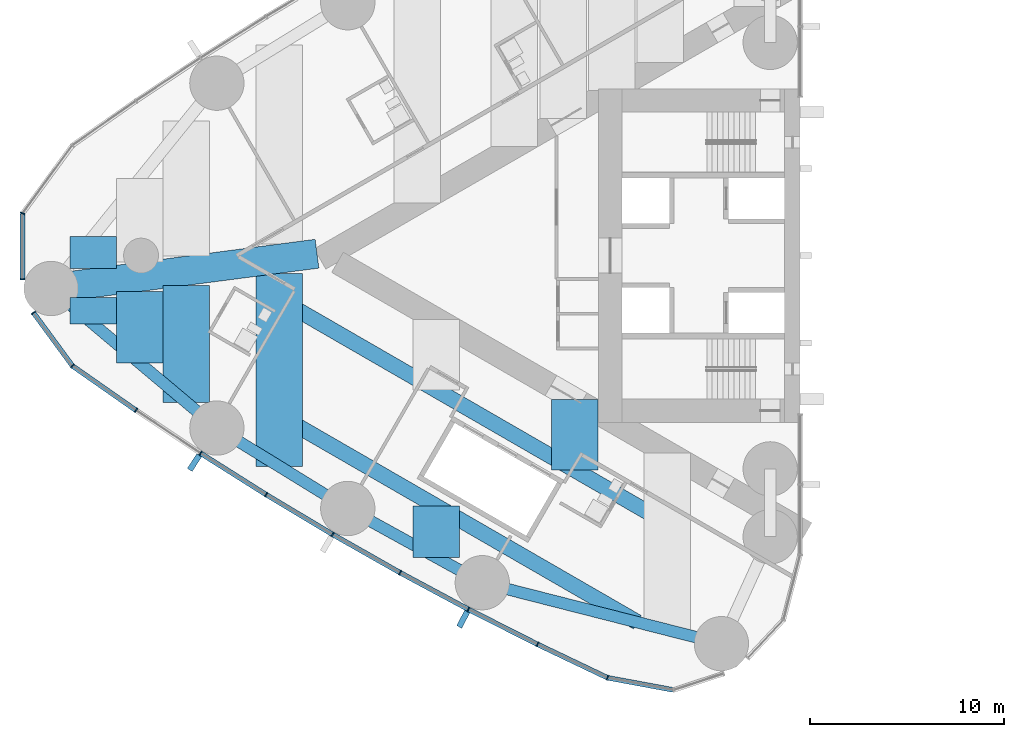
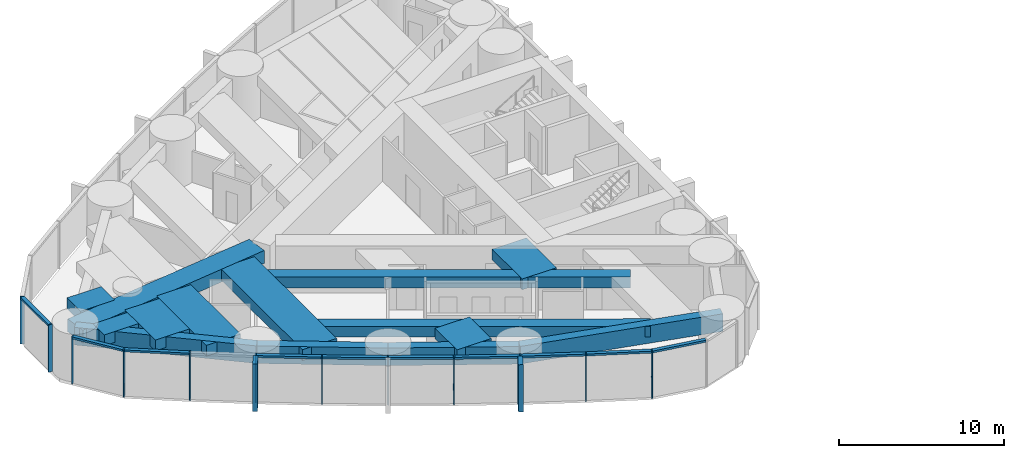
# One storey, part 2 of 19: 24 members, 14 beams, 2 elements without a shape of their own.
"""IFC4 building model written with IfcOpenShell, lengths in metres."""

import ifcopenshell
import ifcopenshell.guid

model = None  # the IFC model being written
_history = None  # IfcOwnerHistory: only IFC2X3 demands one
_inside = {}  # id of a spatial element -> (the spatial element, [elements in it])
_under = {}  # id of a project, library or spatial element -> (it, [spatial elements below it])
_declared = {}  # id of a project -> (the project, [libraries it declares])
_typed = {}  # id of a type object -> (the type object, [elements of that type])
_made_of = {}  # id of a material, layer set ... -> (it, [elements and type objects made of it])


def new_model(schema):
    """Start an empty IFC model of exactly this schema.

    Asked for "IFC4X3", IfcOpenShell would pick the latest addendum, in which some entities
    have other attributes; the version numbers below select the first issue.
    IFC2X3 requires an IfcOwnerHistory on every rooted entity: one is made here for all.
    """
    global model, _history
    if schema == "IFC4X3":
        model = ifcopenshell.file(schema_version=(4, 3, 0, 0))
    else:
        model = ifcopenshell.file(schema=schema)
    _inside.clear()
    _under.clear()
    _declared.clear()
    _typed.clear()
    _made_of.clear()
    _history = None
    if model.schema == "IFC2X3":
        org = make("IfcOrganization", Name="unknown")
        user = make(
            "IfcPersonAndOrganization",
            ThePerson=make("IfcPerson", FamilyName="unknown"),
            TheOrganization=org,
        )
        app = make(
            "IfcApplication",
            ApplicationDeveloper=org,
            Version="unknown",
            ApplicationFullName="unknown",
            ApplicationIdentifier="unknown",
        )
        _history = make(
            "IfcOwnerHistory",
            OwningUser=user,
            OwningApplication=app,
            ChangeAction="ADDED",
            CreationDate=0,
        )
    return model


def make(cls, **values):
    """One entity of the class cls with the attributes given. An attribute that is None is left unset."""
    return model.create_entity(
        cls, **{name: value for name, value in values.items() if value is not None}
    )


def rooted(cls, **values):
    """An entity with a GlobalId (a new one), such as an element, a storey or a relation."""
    return make(cls, GlobalId=ifcopenshell.guid.new(), OwnerHistory=_history, **values)


def si_unit(unit_type, name, prefix=None):
    """IfcSIUnit, for example si_unit("LENGTHUNIT", "METRE", prefix="MILLI")."""
    return make("IfcSIUnit", UnitType=unit_type, Prefix=prefix, Name=name)


def assignment(units):
    """IfcUnitAssignment: the units of a project."""
    return None if units is None else make("IfcUnitAssignment", Units=units)


def point(xyz):
    """IfcCartesianPoint."""
    return None if xyz is None else make("IfcCartesianPoint", Coordinates=xyz)


def direction(xyz):
    """IfcDirection."""
    return None if xyz is None else make("IfcDirection", DirectionRatios=xyz)


def frame(location, z_axis=None, x_axis=None):
    """IfcAxis2Placement3D, a coordinate frame: its origin and axes. An axis left out is left unset."""
    return make(
        "IfcAxis2Placement3D",
        Location=point(location),
        Axis=direction(z_axis),
        RefDirection=direction(x_axis),
    )


def frame_2d(location, x_axis=None):
    """IfcAxis2Placement2D, a coordinate frame in the plane: its origin and x axis."""
    return make(
        "IfcAxis2Placement2D", Location=point(location), RefDirection=direction(x_axis)
    )


def origin():
    """The frame at (0, 0, 0) with its axes left unset."""
    return frame((0.0, 0.0, 0.0))


def origin_2d():
    """The frame at (0, 0) in the plane with its x axis left unset."""
    return frame_2d((0.0, 0.0))


def place(relative_to, where):
    """IfcLocalPlacement: puts the frame where relative to a parent placement (None: the world)."""
    return make(
        "IfcLocalPlacement", PlacementRelTo=relative_to, RelativePlacement=where
    )


def context(
    kind, dimensions, precision=None, world=None, true_north=None, identifier=None
):
    """IfcGeometricRepresentationContext, for example the 3D "Model" context."""
    return make(
        "IfcGeometricRepresentationContext",
        ContextIdentifier=identifier,
        ContextType=kind,
        CoordinateSpaceDimension=dimensions,
        Precision=precision,
        WorldCoordinateSystem=world,
        TrueNorth=true_north,
    )


def subcontext(parent, identifier, kind, view, scale=None):
    """IfcGeometricRepresentationSubContext, for example "Body" below "Model"."""
    return make(
        "IfcGeometricRepresentationSubContext",
        ContextIdentifier=identifier,
        ContextType=kind,
        ParentContext=parent,
        TargetScale=scale,
        TargetView=view,
    )


def project(units=None, contexts=None):
    """IfcProject with its units and contexts."""
    return rooted(
        "IfcProject",
        Name="project",
        RepresentationContexts=contexts,
        UnitsInContext=assignment(units),
    )


def spatial(cls, under=None, at=None, **own):
    """A site, building, storey or space (cls), placed at a placement, below another one or the project."""
    s = rooted(cls, ObjectPlacement=at, **own)
    if under is not None:
        _under.setdefault(under.id(), (under, []))[1].append(s)
    return s


def profile(cls, at=None, kind="AREA", **sizes):
    """A parametric profile (cls). Its sizes go by their IFC names, for example OverallWidth=200.0."""
    return make(cls, ProfileType=kind, Position=at, **sizes)


def rectangle(**sizes):
    """IfcRectangleProfileDef."""
    return profile("IfcRectangleProfileDef", **sizes)


def hollow_rectangle(**sizes):
    """IfcRectangleHollowProfileDef."""
    return profile("IfcRectangleHollowProfileDef", **sizes)


def extrude(swept, where, along, depth):
    """IfcExtrudedAreaSolid: the profile swept, set in the frame where, extruded along a direction by depth."""
    return make(
        "IfcExtrudedAreaSolid",
        SweptArea=swept,
        Position=where,
        ExtrudedDirection=direction(along),
        Depth=depth,
    )


def shape(context_of_items, identifier, shape_type, items):
    """IfcShapeRepresentation: the items that make up one representation, for example the "Body"."""
    return make(
        "IfcShapeRepresentation",
        ContextOfItems=context_of_items,
        RepresentationIdentifier=identifier,
        RepresentationType=shape_type,
        Items=items,
    )


def material(Name=None, Category=None):
    """IfcMaterial."""
    return make("IfcMaterial", Name=Name, Category=Category)


def material_profile(
    of_material, cross_section, Name=None, Category=None, Priority=None
):
    """IfcMaterialProfile: a cross section and its material."""
    return make(
        "IfcMaterialProfile",
        Name=Name,
        Material=of_material,
        Profile=cross_section,
        Priority=Priority,
        Category=Category,
    )


def profile_set(profiles, Name=None, composite=None):
    """IfcMaterialProfileSet."""
    return make(
        "IfcMaterialProfileSet",
        Name=Name,
        MaterialProfiles=profiles,
        CompositeProfile=composite,
    )


def made_of(thing, what):
    """Note that an element or type object is made of a material, layer set ...; save() writes the relation."""
    if what is not None:
        _made_of.setdefault(what.id(), (what, []))[1].append(thing)
    return thing


def type_object(cls, material=None, **own):
    """A type object (cls), such as IfcWallType, which elements share."""
    return made_of(rooted(cls, **own), material)


def element(
    cls,
    number,
    at=None,
    inside=None,
    cuts=None,
    type_object=None,
    material=None,
    context=None,
    identifier="Body",
    shape_type=None,
    held_by="IfcProductDefinitionShape",
    body=None,
    shapes=None,
    **own,
):
    """One element of the class cls, such as IfcWall. Its Tag is "e" and its number.

    at: its placement. inside: the storey or other place that contains it. cuts: it is an
    opening in that element (IfcRelVoidsElement). A single representation is given by context,
    identifier, shape_type and body (its items); several are given by shapes. held_by: the class
    of the entity that holds the representations. save() writes the other relations.
    """
    e = rooted(cls, Tag="e%d" % number, ObjectPlacement=at, **own)
    if body is not None:
        shapes = [shape(context, identifier, shape_type, body)]
    if shapes is not None:
        e.Representation = make(held_by, Representations=shapes)
    if inside is not None:
        _inside.setdefault(inside.id(), (inside, []))[1].append(e)
    if cuts is not None:
        rooted(
            "IfcRelVoidsElement", RelatingBuildingElement=cuts, RelatedOpeningElement=e
        )
    if type_object is not None:
        _typed.setdefault(type_object.id(), (type_object, []))[1].append(e)
    return made_of(e, material)


def aggregate(whole, parts):
    """IfcRelAggregates: a whole, such as a stair, and the parts it consists of."""
    return rooted("IfcRelAggregates", RelatingObject=whole, RelatedObjects=parts)


def save(model, path):
    """Write the relations noted so far, then the file.

    IfcRelAggregates (storeys below a building ...), IfcRelContainedInSpatialStructure (elements
    in a storey), IfcRelDefinesByType, IfcRelAssociatesMaterial and IfcRelDeclares: one each for
    every whole, place, type object, material and project.
    """
    for whole, parts in _under.values():
        aggregate(whole, parts)
    for where, things in _inside.values():
        rooted(
            "IfcRelContainedInSpatialStructure",
            RelatedElements=things,
            RelatingStructure=where,
        )
    for kind, things in _typed.values():
        rooted("IfcRelDefinesByType", RelatedObjects=things, RelatingType=kind)
    for what, things in _made_of.values():
        rooted("IfcRelAssociatesMaterial", RelatedObjects=things, RelatingMaterial=what)
    for by, libraries in _declared.values():
        rooted("IfcRelDeclares", RelatingContext=by, RelatedDefinitions=libraries)
    model.write(path)


model = new_model("IFC4")

# Units and contexts
model_context = context("Model", 3, precision=1e-05, world=origin(), true_north=direction((0.0, 1.0)))
body_context = subcontext(model_context, "Body", "Model", "MODEL_VIEW")
ifc_project = project(units=[si_unit("LENGTHUNIT", "METRE"), si_unit("AREAUNIT", "SQUARE_METRE"), si_unit("VOLUMEUNIT", "CUBIC_METRE"), si_unit("PLANEANGLEUNIT", "RADIAN"), si_unit("MASSUNIT", "GRAM", prefix="KILO")], contexts=[model_context])

# Site, building, storey
site_placement = place(None, origin())
site = spatial("IfcSite", under=ifc_project, at=site_placement, CompositionType="ELEMENT")
building_placement = place(site_placement, origin())
building = spatial("IfcBuilding", under=site, at=building_placement, Name="Lancet Gate Hotel", CompositionType="ELEMENT")
storey_placement = place(building_placement, frame((0.0, 0.0, 198.300048828125)))
storey = spatial("IfcBuildingStorey", under=building, at=storey_placement, Name="L53", CompositionType="ELEMENT", Elevation=198.300048828125)

# Curtain wall, members
ifc_material_1 = material(Name="Aluminium curtain wall", Category="aluminium")
curtain_wall_type = type_object("IfcCurtainWallType", Name="Tower unitised curtain wall", PredefinedType="USERDEFINED", material=ifc_material_1)
curtain_wall_1_placement = place(storey_placement, origin())
curtain_wall_1 = element("IfcCurtainWall", 1, at=curtain_wall_1_placement, inside=storey, type_object=curtain_wall_type, Name="T1 L53 curtain wall 2", ObjectType="UNITISED CURTAIN WALL", PredefinedType="USERDEFINED")
ifc_material_2 = material(Name="Aluminium mullion", Category="aluminium")
ifc_material_profile_1 = material_profile(ifc_material_2, rectangle(XDim=0.06494140625, YDim=0.25, at=origin_2d()), Name="MULLION 65x250")
ifc_profile_set_1 = profile_set([ifc_material_profile_1], Name="Aluminium mullion")
member_type_1 = type_object("IfcMemberType", Name="Aluminium mullion 65x250", PredefinedType="MULLION", material=ifc_profile_set_1)
member_1_placement = place(storey_placement, frame((-67.61572265625, 2.177490234375, 0.0), z_axis=(0.0, 0.0, 1.0), x_axis=(-0.349199411078, -0.937048435943, 0.0)))
member_1 = element("IfcMember", 2, at=member_1_placement, type_object=member_type_1, Name="T1 L53 curtain wall 2 mullion 12", PredefinedType="MULLION", context=body_context, shape_type="SweptSolid", body=[
    extrude(rectangle(XDim=0.06494140625, YDim=0.25, at=origin_2d()), origin(), (0.0, 0.0, 1.0), 3.5),
])
member_2_placement = place(storey_placement, frame((-67.61572265625, -1.220458984375, 0.0), z_axis=(0.0, 0.0, 1.0), x_axis=(0.0, -1.0, 0.0)))
member_2 = element("IfcMember", 3, at=member_2_placement, type_object=member_type_1, Name="T1 L53 curtain wall 2 mullion 13", PredefinedType="MULLION", context=body_context, shape_type="SweptSolid", body=[
    extrude(rectangle(XDim=0.06494140625, YDim=0.25, at=origin_2d()), origin(), (0.0, 0.0, 1.0), 3.5),
])

curtain_wall_2_placement = place(storey_placement, origin())
curtain_wall_2 = element("IfcCurtainWall", 4, at=curtain_wall_2_placement, inside=storey, type_object=curtain_wall_type, Name="T1 L53 curtain wall 3", ObjectType="UNITISED CURTAIN WALL", PredefinedType="USERDEFINED")
member_3_placement = place(storey_placement, frame((-67.05029296875, -2.948486328125, 0.0), z_axis=(0.0, 0.0, 1.0), x_axis=(0.591299785592, -0.806451835858, 0.0)))
member_3 = element("IfcMember", 5, at=member_3_placement, type_object=member_type_1, Name="T1 L53 curtain wall 3 mullion 1", PredefinedType="MULLION", context=body_context, shape_type="SweptSolid", body=[
    extrude(rectangle(XDim=0.06494140625, YDim=0.25, at=origin_2d()), origin(), (0.0, 0.0, 1.0), 3.5),
])
member_4_placement = place(storey_placement, frame((-65.040283203125, -5.68994140625, 0.0), z_axis=(0.0, 0.0, 1.0), x_axis=(0.724381882759, -0.689398932354, 0.0)))
member_4 = element("IfcMember", 6, at=member_4_placement, type_object=member_type_1, Name="T1 L53 curtain wall 3 mullion 2", PredefinedType="MULLION", context=body_context, shape_type="SweptSolid", body=[
    extrude(rectangle(XDim=0.06494140625, YDim=0.25, at=origin_2d()), origin(), (0.0, 0.0, 1.0), 3.5),
])
member_5_placement = place(storey_placement, frame((-61.7626953125, -7.980712890625, 0.0), z_axis=(0.0, 0.0, 1.0), x_axis=(0.826312172542, -0.563212387568, 0.0)))
member_5 = element("IfcMember", 7, at=member_5_placement, type_object=member_type_1, Name="T1 L53 curtain wall 3 mullion 3", PredefinedType="MULLION", context=body_context, shape_type="SweptSolid", body=[
    extrude(rectangle(XDim=0.06494140625, YDim=0.25, at=origin_2d()), origin(), (0.0, 0.0, 1.0), 3.5),
])
member_6_placement = place(storey_placement, frame((-58.43212890625, -10.194091796875, 0.0), z_axis=(0.0, 0.0, 1.0), x_axis=(0.839331119324, -0.54362052218, 0.0)))
member_6 = element("IfcMember", 8, at=member_6_placement, type_object=member_type_1, Name="T1 L53 curtain wall 3 mullion 4", PredefinedType="MULLION", context=body_context, shape_type="SweptSolid", body=[
    extrude(rectangle(XDim=0.06494140625, YDim=0.25, at=origin_2d()), origin(), (0.0, 0.0, 1.0), 3.5),
])
member_7_placement = place(storey_placement, frame((-55.05029296875, -12.328369140625, 0.0), z_axis=(0.0, 0.0, 1.0), x_axis=(0.851885635531, -0.52372785297, 0.0)))
member_7 = element("IfcMember", 9, at=member_7_placement, type_object=member_type_1, Name="T1 L53 curtain wall 3 mullion 5", PredefinedType="MULLION", context=body_context, shape_type="SweptSolid", body=[
    extrude(rectangle(XDim=0.06494140625, YDim=0.25, at=origin_2d()), origin(), (0.0, 0.0, 1.0), 3.5),
])
member_8_placement = place(storey_placement, frame((-51.619384765625, -14.38232421875, 0.0), z_axis=(0.0, 0.0, 1.0), x_axis=(0.863968774311, -0.503545387245, 0.0)))
member_8 = element("IfcMember", 10, at=member_8_placement, type_object=member_type_1, Name="T1 L53 curtain wall 3 mullion 6", PredefinedType="MULLION", context=body_context, shape_type="SweptSolid", body=[
    extrude(rectangle(XDim=0.06494140625, YDim=0.25, at=origin_2d()), origin(), (0.0, 0.0, 1.0), 3.5),
])
member_9_placement = place(storey_placement, frame((-48.140869140625, -16.355224609375, 0.0), z_axis=(0.0, 0.0, 1.0), x_axis=(0.87557384965, -0.483084292654, 0.0)))
member_9 = element("IfcMember", 11, at=member_9_placement, type_object=member_type_1, Name="T1 L53 curtain wall 3 mullion 7", PredefinedType="MULLION", context=body_context, shape_type="SweptSolid", body=[
    extrude(rectangle(XDim=0.06494140625, YDim=0.25, at=origin_2d()), origin(), (0.0, 0.0, 1.0), 3.5),
])
member_10_placement = place(storey_placement, frame((-44.6171875, -18.245849609375, 0.0), z_axis=(0.0, 0.0, 1.0), x_axis=(0.886694440064, -0.462355891019, 0.0)))
member_10 = element("IfcMember", 12, at=member_10_placement, type_object=member_type_1, Name="T1 L53 curtain wall 3 mullion 8", PredefinedType="MULLION", context=body_context, shape_type="SweptSolid", body=[
    extrude(rectangle(XDim=0.06494140625, YDim=0.25, at=origin_2d()), origin(), (0.0, 0.0, 1.0), 3.5),
])
member_11_placement = place(storey_placement, frame((-41.0498046875, -20.052978515625, 0.0), z_axis=(0.0, 0.0, 1.0), x_axis=(0.897324392142, -0.441371652088, 0.0)))
member_11 = element("IfcMember", 13, at=member_11_placement, type_object=member_type_1, Name="T1 L53 curtain wall 3 mullion 9", PredefinedType="MULLION", context=body_context, shape_type="SweptSolid", body=[
    extrude(rectangle(XDim=0.06494140625, YDim=0.25, at=origin_2d()), origin(), (0.0, 0.0, 1.0), 3.5),
])
member_12_placement = place(storey_placement, frame((-37.44091796875, -21.775634765625, 0.0), z_axis=(0.0, 0.0, 1.0), x_axis=(0.948119321052, -0.317914694609, 0.0)))
member_12 = element("IfcMember", 14, at=member_12_placement, type_object=member_type_1, Name="T1 L53 curtain wall 3 mullion 10", PredefinedType="MULLION", context=body_context, shape_type="SweptSolid", body=[
    extrude(rectangle(XDim=0.06494140625, YDim=0.25, at=origin_2d()), origin(), (0.0, 0.0, 1.0), 3.5),
])

# Member
ifc_material_3 = material(Name="Aluminium transom", Category="aluminium")
ifc_material_profile_2 = material_profile(ifc_material_3, rectangle(XDim=0.25, YDim=0.14990234375, at=origin_2d()), Name="TRANSOM 250x150")
ifc_profile_set_2 = profile_set([ifc_material_profile_2], Name="Aluminium transom")
member_type_2 = type_object("IfcMemberType", Name="Aluminium transom 250x150", PredefinedType="USERDEFINED", material=ifc_profile_set_2)
member_13_placement = place(storey_placement, frame((-67.61572265625, 2.14501953125, 3.425048828125), z_axis=(0.0, -1.0, 0.0), x_axis=(1.0, 0.0, 0.0)))
member_13 = element("IfcMember", 15, at=member_13_placement, type_object=member_type_2, Name="T1 L53 curtain wall 2 transom 12", ObjectType="TRANSOM", PredefinedType="USERDEFINED", context=body_context, shape_type="SweptSolid", body=[
    extrude(rectangle(XDim=0.25, YDim=0.14990234375, at=origin_2d()), origin(), (0.0, 0.0, 1.0), 3.3330078125),
])

aggregate(curtain_wall_1, [member_1, member_2, member_13])

member_14_placement = place(storey_placement, frame((-67.031005859375, -2.974853515625, 3.425048828125), z_axis=(0.591306519832, -0.806446898193, 0.0), x_axis=(0.806446898193, 0.591306519832, 0.0)))
member_14 = element("IfcMember", 16, at=member_14_placement, type_object=member_type_2, Name="T1 L53 curtain wall 3 transom 1", ObjectType="TRANSOM", PredefinedType="USERDEFINED", context=body_context, shape_type="SweptSolid", body=[
    extrude(rectangle(XDim=0.25, YDim=0.14990234375, at=origin_2d()), origin(), (0.0, 0.0, 1.0), 3.333984375),
])

member_15_placement = place(storey_placement, frame((-65.013671875, -5.70849609375, 3.425048828125), z_axis=(0.819636985462, -0.572883244704, 0.0), x_axis=(0.572883244704, 0.819636985462, 0.0)))
member_15 = element("IfcMember", 17, at=member_15_placement, type_object=member_type_2, Name="T1 L53 curtain wall 3 transom 2", ObjectType="TRANSOM", PredefinedType="USERDEFINED", context=body_context, shape_type="SweptSolid", body=[
    extrude(rectangle(XDim=0.25, YDim=0.14990234375, at=origin_2d()), origin(), (0.0, 0.0, 1.0), 3.933837890625),
])

member_16_placement = place(storey_placement, frame((-58.40478515625, -10.21142578125, 3.425048828125), z_axis=(0.845671711095, -0.53370343549, 0.0), x_axis=(0.53370343549, 0.845671711095, 0.0)))
member_16 = element("IfcMember", 18, at=member_16_placement, type_object=member_type_2, Name="T1 L53 curtain wall 3 transom 4", ObjectType="TRANSOM", PredefinedType="USERDEFINED", context=body_context, shape_type="SweptSolid", body=[
    extrude(rectangle(XDim=0.25, YDim=0.14990234375, at=origin_2d()), origin(), (0.0, 0.0, 1.0), 3.93408203125),
])

member_17_placement = place(storey_placement, frame((-55.0224609375, -12.344970703125, 3.425048828125), z_axis=(0.857985365092, -0.513674131419, 0.0), x_axis=(0.513674131419, 0.857985365092, 0.0)))
member_17 = element("IfcMember", 19, at=member_17_placement, type_object=member_type_2, Name="T1 L53 curtain wall 3 transom 5", ObjectType="TRANSOM", PredefinedType="USERDEFINED", context=body_context, shape_type="SweptSolid", body=[
    extrude(rectangle(XDim=0.25, YDim=0.14990234375, at=origin_2d()), origin(), (0.0, 0.0, 1.0), 3.933837890625),
])

member_18_placement = place(storey_placement, frame((-51.591064453125, -14.3984375, 3.425048828125), z_axis=(0.869819807367, -0.493369539709, 0.0), x_axis=(0.493369539709, 0.869819807367, 0.0)))
member_18 = element("IfcMember", 20, at=member_18_placement, type_object=member_type_2, Name="T1 L53 curtain wall 3 transom 6", ObjectType="TRANSOM", PredefinedType="USERDEFINED", context=body_context, shape_type="SweptSolid", body=[
    extrude(rectangle(XDim=0.25, YDim=0.14990234375, at=origin_2d()), origin(), (0.0, 0.0, 1.0), 3.93408203125),
])

member_19_placement = place(storey_placement, frame((-48.1123046875, -16.37060546875, 3.425048828125), z_axis=(0.881185491994, -0.472770693571, 0.0), x_axis=(0.472770693571, 0.881185491994, 0.0)))
member_19 = element("IfcMember", 21, at=member_19_placement, type_object=member_type_2, Name="T1 L53 curtain wall 3 transom 7", ObjectType="TRANSOM", PredefinedType="USERDEFINED", context=body_context, shape_type="SweptSolid", body=[
    extrude(rectangle(XDim=0.25, YDim=0.14990234375, at=origin_2d()), origin(), (0.0, 0.0, 1.0), 3.93408203125),
])

member_20_placement = place(storey_placement, frame((-44.588134765625, -18.260498046875, 3.425048828125), z_axis=(0.892081477453, -0.451874581699, 0.0), x_axis=(0.451874581699, 0.892081477453, 0.0)))
member_20 = element("IfcMember", 22, at=member_20_placement, type_object=member_type_2, Name="T1 L53 curtain wall 3 transom 8", ObjectType="TRANSOM", PredefinedType="USERDEFINED", context=body_context, shape_type="SweptSolid", body=[
    extrude(rectangle(XDim=0.25, YDim=0.14990234375, at=origin_2d()), origin(), (0.0, 0.0, 1.0), 3.933837890625),
])

member_21_placement = place(storey_placement, frame((-41.0205078125, -20.06689453125, 3.425048828125), z_axis=(0.902468975385, -0.430754858902, 0.0), x_axis=(0.430754858902, 0.902468975385, 0.0)))
member_21 = element("IfcMember", 23, at=member_21_placement, type_object=member_type_2, Name="T1 L53 curtain wall 3 transom 9", ObjectType="TRANSOM", PredefinedType="USERDEFINED", context=body_context, shape_type="SweptSolid", body=[
    extrude(rectangle(XDim=0.25, YDim=0.14990234375, at=origin_2d()), origin(), (0.0, 0.0, 1.0), 3.93408203125),
])

member_22_placement = place(storey_placement, frame((-37.408935546875, -21.781494140625, 3.425048828125), z_axis=(0.983286757871, -0.182063592724, 0.0), x_axis=(0.182063592724, 0.983286757871, 0.0)))
member_22 = element("IfcMember", 24, at=member_22_placement, type_object=member_type_2, Name="T1 L53 curtain wall 3 transom 10", ObjectType="TRANSOM", PredefinedType="USERDEFINED", context=body_context, shape_type="SweptSolid", body=[
    extrude(rectangle(XDim=0.25, YDim=0.14990234375, at=origin_2d()), origin(), (0.0, 0.0, 1.0), 3.406005859375),
])

# Beams
ifc_material_4 = material(Name="Steel S460QL", Category="steel")
ifc_material_profile_3 = material_profile(ifc_material_4, hollow_rectangle(XDim=0.60009765625, YDim=1.300048828125, WallThickness=0.050048828125, at=origin_2d()), Name="BOX 1300x600x50")
ifc_profile_set_3 = profile_set([ifc_material_profile_3], Name="Steel S460QL")
beam_type_1 = type_object("IfcBeamType", Name="Edge beam BOX 1300x600x50", PredefinedType="SPANDREL", material=ifc_profile_set_3)
beam_1_placement = place(storey_placement, frame((-66.142578125, -1.6953125, 2.599853515625), z_axis=(0.765120708367, -0.64388687021, 0.0), x_axis=(0.64388687021, 0.765120708367, 0.0)))
element("IfcBeam", 25, at=beam_1_placement, inside=storey, type_object=beam_type_1, Name="T1 edge beam EB2 L53", PredefinedType="SPANDREL", context=body_context, shape_type="SweptSolid", body=[
    extrude(hollow_rectangle(XDim=0.60009765625, YDim=1.300048828125, WallThickness=0.050048828125, at=origin_2d()), origin(), (0.0, 0.0, 1.0), 11.1787109375),
])
beam_2_placement = place(storey_placement, frame((-57.589599609375, -8.89306640625, 2.599853515625), z_axis=(0.851892008043, -0.523717487423, 0.0), x_axis=(0.523717487423, 0.851892008043, 0.0)))
element("IfcBeam", 26, at=beam_2_placement, inside=storey, type_object=beam_type_1, Name="T1 edge beam EB2 L53", PredefinedType="SPANDREL", context=body_context, shape_type="SweptSolid", body=[
    extrude(hollow_rectangle(XDim=0.60009765625, YDim=1.300048828125, WallThickness=0.050048828125, at=origin_2d()), origin(), (0.0, 0.0, 1.0), 7.92431640625),
])
beam_3_placement = place(storey_placement, frame((-50.8388671875, -13.043212890625, 2.599853515625), z_axis=(0.875577684027, -0.483077342911, 0.0), x_axis=(0.483077342911, 0.875577684027, 0.0)))
element("IfcBeam", 27, at=beam_3_placement, inside=storey, type_object=beam_type_1, Name="T1 edge beam EB2 L53", PredefinedType="SPANDREL", context=body_context, shape_type="SweptSolid", body=[
    extrude(hollow_rectangle(XDim=0.60009765625, YDim=1.300048828125, WallThickness=0.050048828125, at=origin_2d()), origin(), (0.0, 0.0, 1.0), 7.924560546875),
])
beam_4_placement = place(storey_placement, frame((-43.900390625, -16.871337890625, 2.599853515625), z_axis=(0.969008414312, -0.247027717052, 0.0), x_axis=(0.247027717052, 0.969008414312, 0.0)))
element("IfcBeam", 28, at=beam_4_placement, inside=storey, type_object=beam_type_1, Name="T1 edge beam EB2 L53", PredefinedType="SPANDREL", context=body_context, shape_type="SweptSolid", body=[
    extrude(hollow_rectangle(XDim=0.60009765625, YDim=1.300048828125, WallThickness=0.050048828125, at=origin_2d()), origin(), (0.0, 0.0, 1.0), 12.7294921875),
])

# Member
ifc_material_5 = material(Name="Precast concrete C50/60", Category="concrete")
ifc_material_profile_4 = material_profile(ifc_material_5, rectangle(XDim=0.300048828125, YDim=0.89990234375, at=origin_2d()), Name="FIN 300x900")
ifc_profile_set_4 = profile_set([ifc_material_profile_4], Name="Precast concrete C50/60")
member_type_3 = type_object("IfcMemberType", Name="Exposed concrete fin 300x900", PredefinedType="USERDEFINED", material=ifc_profile_set_4)
member_23_placement = place(storey_placement, frame((-58.74462890625, -10.6767578125, 0.0), z_axis=(0.0, 0.0, 1.0), x_axis=(0.839331119324, -0.54362052218, 0.0)))
member_23 = element("IfcMember", 29, at=member_23_placement, type_object=member_type_3, Name="T1 L53 curtain wall 3 fin 4", ObjectType="FIN", PredefinedType="USERDEFINED", context=body_context, shape_type="SweptSolid", body=[
    extrude(rectangle(XDim=0.300048828125, YDim=0.89990234375, at=origin_2d()), origin(), (0.0, 0.0, 1.0), 3.5),
])

member_24_placement = place(storey_placement, frame((-44.883056640625, -18.755615234375, 0.0), z_axis=(0.0, 0.0, 1.0), x_axis=(0.886694440064, -0.462355891019, 0.0)))
member_24 = element("IfcMember", 30, at=member_24_placement, type_object=member_type_3, Name="T1 L53 curtain wall 3 fin 8", ObjectType="FIN", PredefinedType="USERDEFINED", context=body_context, shape_type="SweptSolid", body=[
    extrude(rectangle(XDim=0.300048828125, YDim=0.89990234375, at=origin_2d()), origin(), (0.0, 0.0, 1.0), 3.5),
])

aggregate(curtain_wall_2, [member_3, member_4, member_5, member_6, member_23, member_7, member_8, member_9, member_10, member_24, member_11, member_12, member_14, member_15, member_16, member_17, member_18, member_19, member_20, member_21, member_22])

# Beams
ifc_material_6 = material(Name="Concrete C50/60", Category="concrete")
ifc_material_profile_5 = material_profile(ifc_material_6, rectangle(XDim=2.39990234375, YDim=0.800048828125, at=origin_2d()), Name="RC 2400x800")
ifc_profile_set_5 = profile_set([ifc_material_profile_5], Name="Concrete C50/60")
beam_type_2 = type_object("IfcBeamType", Name="Floor beam RC 2400x800", PredefinedType="BEAM", material=ifc_profile_set_5)
beam_5_placement = place(storey_placement, frame((-54.3681640625, -0.9130859375, 2.849853515625), z_axis=(0.0, -1.0, 0.0), x_axis=(1.0, 0.0, 0.0)))
element("IfcBeam", 31, at=beam_5_placement, inside=storey, type_object=beam_type_2, Name="T1 floor beam F11N L53", PredefinedType="BEAM", context=body_context, shape_type="SweptSolid", body=[
    extrude(rectangle(XDim=2.39990234375, YDim=0.800048828125, at=origin_2d()), origin(), (0.0, 0.0, 1.0), 9.96044921875),
])
beam_6_placement = place(storey_placement, frame((-59.168212890625, -1.54052734375, 2.849853515625), z_axis=(0.0, -1.0, 0.0), x_axis=(1.0, 0.0, 0.0)))
element("IfcBeam", 32, at=beam_6_placement, inside=storey, type_object=beam_type_2, Name="T1 floor beam F13N L53", PredefinedType="BEAM", context=body_context, shape_type="SweptSolid", body=[
    extrude(rectangle(XDim=2.39990234375, YDim=0.800048828125, at=origin_2d()), origin(), (0.0, 0.0, 1.0), 6.02392578125),
])
beam_7_placement = place(storey_placement, frame((-61.568359375, -1.85400390625, 2.849853515625), z_axis=(0.0, -1.0, 0.0), x_axis=(1.0, 0.0, 0.0)))
element("IfcBeam", 33, at=beam_7_placement, inside=storey, type_object=beam_type_2, Name="T1 floor beam F15N L53", PredefinedType="BEAM", context=body_context, shape_type="SweptSolid", body=[
    extrude(rectangle(XDim=2.39990234375, YDim=0.800048828125, at=origin_2d()), origin(), (0.0, 0.0, 1.0), 3.69091796875),
])
beam_8_placement = place(storey_placement, frame((-63.96826171875, 0.996337890625, 2.849853515625), z_axis=(0.0, -1.0, 0.0), x_axis=(1.0, 0.0, 0.0)))
element("IfcBeam", 34, at=beam_8_placement, inside=storey, type_object=beam_type_2, Name="T1 floor beam F16S L53", PredefinedType="BEAM", context=body_context, shape_type="SweptSolid", body=[
    extrude(rectangle(XDim=2.39990234375, YDim=0.800048828125, at=origin_2d()), origin(), (0.0, 0.0, 1.0), 1.6513671875),
])
beam_9_placement = place(storey_placement, frame((-63.96826171875, -2.167724609375, 2.849853515625), z_axis=(0.0, -1.0, 0.0), x_axis=(1.0, 0.0, 0.0)))
element("IfcBeam", 35, at=beam_9_placement, inside=storey, type_object=beam_type_2, Name="T1 floor beam F17N L53", PredefinedType="BEAM", context=body_context, shape_type="SweptSolid", body=[
    extrude(rectangle(XDim=2.39990234375, YDim=0.800048828125, at=origin_2d()), origin(), (0.0, 0.0, 1.0), 1.357421875),
])
beam_10_placement = place(storey_placement, frame((-39.122314453125, -7.41650390625, 2.849853515625), z_axis=(0.0, -1.0, 0.0), x_axis=(1.0, 0.0, 0.0)))
element("IfcBeam", 36, at=beam_10_placement, inside=storey, type_object=beam_type_2, Name="T1 floor beam F05NA L53", PredefinedType="BEAM", context=body_context, shape_type="SweptSolid", body=[
    extrude(rectangle(XDim=2.39990234375, YDim=0.800048828125, at=origin_2d()), origin(), (0.0, 0.0, 1.0), 3.6455078125),
])
beam_11_placement = place(storey_placement, frame((-46.27587890625, -12.919677734375, 2.849853515625), z_axis=(0.0, -1.0, 0.0), x_axis=(1.0, 0.0, 0.0)))
element("IfcBeam", 37, at=beam_11_placement, inside=storey, type_object=beam_type_2, Name="T1 floor beam F08NB L53", PredefinedType="BEAM", context=body_context, shape_type="SweptSolid", body=[
    extrude(rectangle(XDim=2.39990234375, YDim=0.800048828125, at=origin_2d()), origin(), (0.0, 0.0, 1.0), 2.64111328125),
])
ifc_material_7 = material(Name="Concrete C50/60", Category="concrete")
ifc_material_profile_6 = material_profile(ifc_material_7, rectangle(XDim=1.5, YDim=0.949951171875, at=origin_2d()), Name="RC 1500x950")
ifc_profile_set_6 = profile_set([ifc_material_profile_6], Name="Concrete C50/60")
beam_type_3 = type_object("IfcBeamType", Name="Radial floor beam RC 1500x950", PredefinedType="BEAM", material=ifc_profile_set_6)
beam_12_placement = place(storey_placement, frame((-66.142578125, -1.6953125, 2.77490234375), z_axis=(0.991571259053, 0.129562487702, 0.0), x_axis=(-0.129562487702, 0.991571259053, 0.0)))
element("IfcBeam", 38, at=beam_12_placement, inside=storey, type_object=beam_type_3, Name="T1 radial beam CA L53", PredefinedType="BEAM", context=body_context, shape_type="SweptSolid", body=[
    extrude(rectangle(XDim=1.5, YDim=0.949951171875, at=origin_2d()), origin(), (0.0, 0.0, 1.0), 13.8349609375),
])
ifc_material_8 = material(Name="Steel S460QL", Category="steel")
ifc_material_profile_7 = material_profile(ifc_material_8, hollow_rectangle(XDim=0.800048828125, YDim=0.800048828125, WallThickness=0.080078125, at=origin_2d()), Name="BOX 800x800x80")
ifc_profile_set_7 = profile_set([ifc_material_profile_7], Name="Steel S460QL")
beam_type_4 = type_object("IfcBeamType", Name="Trimmer beam BOX 800x800x80", PredefinedType="BEAM", material=ifc_profile_set_7)
beam_13_placement = place(storey_placement, frame((-34.353515625, -13.8154296875, 2.849853515625), z_axis=(-0.866030778866, 0.49999068997, 0.0), x_axis=(-0.49999068997, -0.866030778866, 0.0)))
element("IfcBeam", 39, at=beam_13_placement, inside=storey, type_object=beam_type_4, Name="T1 trimmer beam TR01N L53", PredefinedType="BEAM", context=body_context, shape_type="SweptSolid", body=[
    extrude(hollow_rectangle(XDim=0.800048828125, YDim=0.800048828125, WallThickness=0.080078125, at=origin_2d()), origin(), (0.0, 0.0, 1.0), 23.11083984375),
])
beam_14_placement = place(storey_placement, frame((-35.89697265625, -18.91162109375, 2.849853515625), z_axis=(-0.866036142832, 0.499981398963, 0.0), x_axis=(-0.499981398963, -0.866036142832, 0.0)))
element("IfcBeam", 40, at=beam_14_placement, inside=storey, type_object=beam_type_4, Name="T1 trimmer beam TR02N L53", PredefinedType="BEAM", context=body_context, shape_type="SweptSolid", body=[
    extrude(hollow_rectangle(XDim=0.800048828125, YDim=0.800048828125, WallThickness=0.080078125, at=origin_2d()), origin(), (0.0, 0.0, 1.0), 21.328369140625),
])

save(model, "model.ifc")
